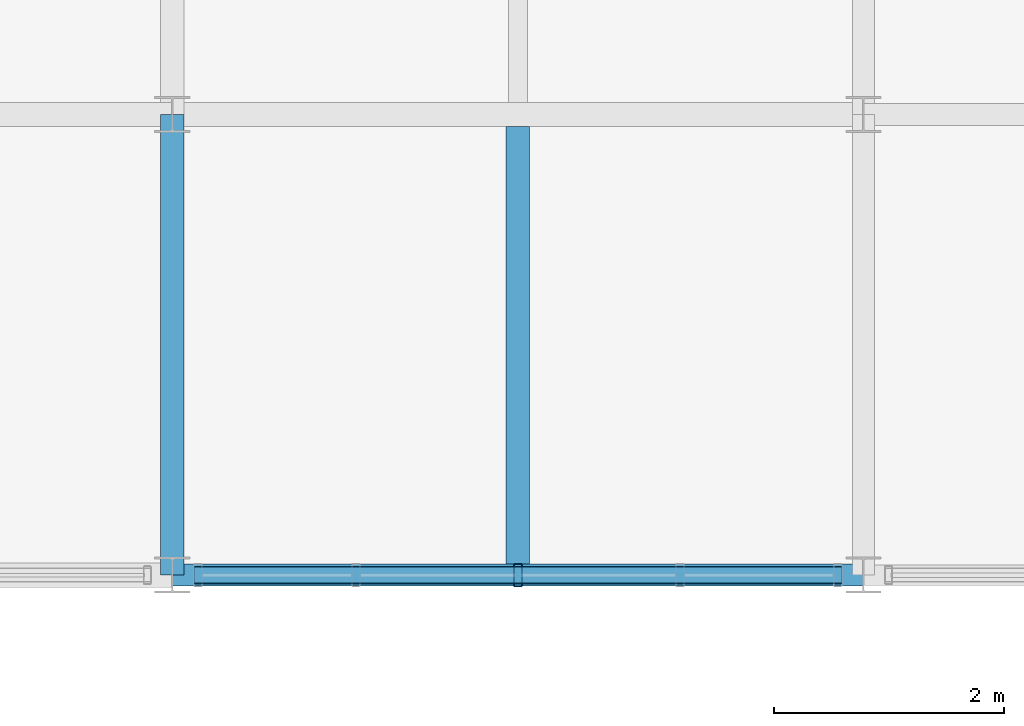
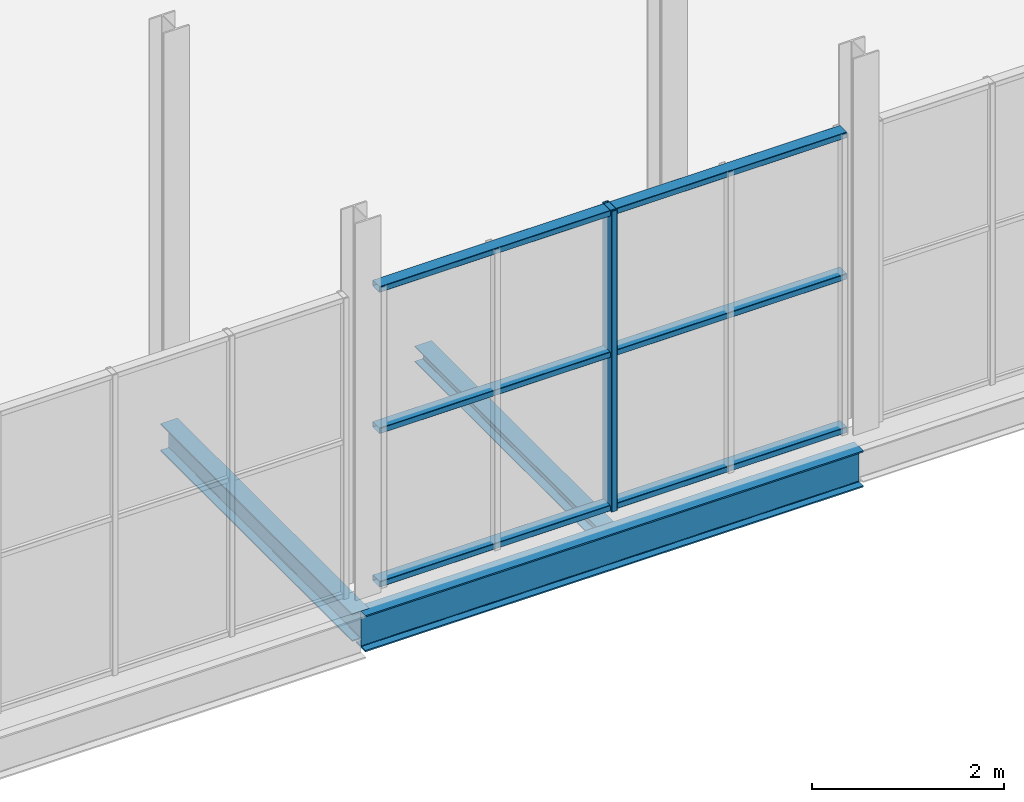
# One storey, part 66 of 114: 4 members, 3 beams, 1 element without a shape of its own.
"""IFC4 building model written with IfcOpenShell, lengths in metres."""

from ifc_helpers import new_model, si_unit, direction, frame, origin, origin_2d, place, context, subcontext, project, spatial, hollow_rectangle, i_section, extrude, material, material_profile, profile_set, type_object, element, aggregate, save


model = new_model("IFC4")

# Units and contexts
model_context = context("Model", 3, precision=1e-05, world=origin(), true_north=direction((0.0, 1.0)))
body_context = subcontext(model_context, "Body", "Model", "MODEL_VIEW")
ifc_project = project(units=[si_unit("LENGTHUNIT", "METRE"), si_unit("AREAUNIT", "SQUARE_METRE"), si_unit("VOLUMEUNIT", "CUBIC_METRE"), si_unit("PLANEANGLEUNIT", "RADIAN"), si_unit("MASSUNIT", "GRAM", prefix="KILO")], contexts=[model_context])

# Site, building, storey
site_placement = place(None, origin())
site = spatial("IfcSite", under=ifc_project, at=site_placement, CompositionType="ELEMENT")
building_placement = place(site_placement, origin())
building = spatial("IfcBuilding", under=site, at=building_placement, Name="Verrall Gate Interchange", CompositionType="ELEMENT")
storey_placement = place(building_placement, frame((0.0, 0.0, 6.60009765625)))
storey = spatial("IfcBuildingStorey", under=building, at=storey_placement, Name="L02", CompositionType="ELEMENT", Elevation=6.60009765625)

# Beams
ifc_material_1 = material(Name="Structural Steel CSA G40.21 350W", Category="steel")
ifc_material_profile_1 = material_profile(ifc_material_1, i_section(OverallWidth=0.19189453125, OverallDepth=0.462890625, WebThickness=0.010498046875, FlangeThickness=0.017578125, FilletRadius=0.012939453125, at=origin_2d()), Name="W460x89")
ifc_profile_set_1 = profile_set([ifc_material_profile_1], Name="Structural Steel CSA G40.21 350W")
beam_type_1 = type_object("IfcBeamType", Name="B-11 Structural Beam W460x89", PredefinedType="BEAM", material=ifc_profile_set_1)
beam_1_placement = place(storey_placement, frame((156.0, 12.0, -0.51171875), z_axis=(1.0, 0.0, 0.0), x_axis=(0.0, 1.0, 0.0)))
element("IfcBeam", 1, at=beam_1_placement, inside=storey, type_object=beam_type_1, Name="L02 Girder BM-L02-1485 (B-11)", PredefinedType="BEAM", context=body_context, shape_type="SweptSolid", body=[
    extrude(i_section(OverallWidth=0.19189453125, OverallDepth=0.462890625, WebThickness=0.010498046875, FlangeThickness=0.017578125, FilletRadius=0.012939453125, at=origin_2d()), origin(), (0.0, 0.0, 1.0), 6.0),
])
ifc_material_2 = material(Name="Structural Steel CSA G40.21 350W", Category="steel")
ifc_material_profile_2 = material_profile(ifc_material_2, i_section(OverallWidth=0.205078125, OverallDepth=0.35400390625, WebThickness=0.009521484375, FlangeThickness=0.016845703125, FilletRadius=0.012939453125, at=origin_2d()), Name="W360x79")
ifc_profile_set_2 = profile_set([ifc_material_profile_2], Name="Structural Steel CSA G40.21 350W")
beam_type_2 = type_object("IfcBeamType", Name="B-14 Structural Beam W360x79", PredefinedType="BEAM", material=ifc_profile_set_2)
beam_2_placement = place(storey_placement, frame((156.0, 12.0, -0.45703125), z_axis=(0.0, 1.0, 0.0), x_axis=(-1.0, 0.0, 0.0)))
element("IfcBeam", 2, at=beam_2_placement, inside=storey, type_object=beam_type_2, Name="L02 Girder BM-L02-1815 (B-14)", PredefinedType="BEAM", context=body_context, shape_type="SweptSolid", body=[
    extrude(i_section(OverallWidth=0.205078125, OverallDepth=0.35400390625, WebThickness=0.009521484375, FlangeThickness=0.016845703125, FilletRadius=0.012939453125, at=origin_2d()), origin(), (0.0, 0.0, 1.0), 4.0),
])

# Curtain wall, members
ifc_material_3 = material(Name="Thermally Broken Anodized Aluminium Curtain Wall Framing", Category="aluminium")
curtain_wall_type = type_object("IfcCurtainWallType", Name="CW-18 Unitized Curtain Wall 5631x3760", PredefinedType="NOTDEFINED", material=ifc_material_3)
curtain_wall_placement = place(storey_placement, origin())
curtain_wall = element("IfcCurtainWall", 3, at=curtain_wall_placement, inside=storey, type_object=curtain_wall_type, Name="L02 Unitized Curtain Wall CW-L02-089", PredefinedType="NOTDEFINED")
ifc_material_4 = material(Name="Thermally Broken Anodized Aluminium Curtain Wall Framing", Category="aluminium")
ifc_material_profile_3 = material_profile(ifc_material_4, hollow_rectangle(XDim=0.074951171875, YDim=0.199951171875, WallThickness=0.0048828125, InnerFilletRadius=0.0048828125, OuterFilletRadius=0.010009765625, at=origin_2d()), Name="CWM200x75x5")
ifc_profile_set_3 = profile_set([ifc_material_profile_3], Name="Thermally Broken Anodized Aluminium Curtain Wall Framing")
member_type_1 = type_object("IfcMemberType", Name="CM-02 Curtain Mullion CWM200x75x5", PredefinedType="MULLION", material=ifc_profile_set_3)
member_1_placement = place(storey_placement, frame((159.0, 12.0, 0.0), z_axis=(0.0, 0.0, 1.0), x_axis=(1.0, 0.0, 0.0)))
member_1 = element("IfcMember", 4, at=member_1_placement, type_object=member_type_1, Name="CW-L02-089 Mullion 3", PredefinedType="MULLION", context=body_context, shape_type="SweptSolid", body=[
    extrude(hollow_rectangle(XDim=0.074951171875, YDim=0.199951171875, WallThickness=0.0048828125, InnerFilletRadius=0.0048828125, OuterFilletRadius=0.010009765625, at=origin_2d()), origin(), (0.0, 0.0, 1.0), 3.829833984375),
])
ifc_material_5 = material(Name="Thermally Broken Anodized Aluminium Curtain Wall Framing", Category="aluminium")
ifc_material_profile_4 = material_profile(ifc_material_5, hollow_rectangle(XDim=0.14990234375, YDim=0.074951171875, WallThickness=0.00439453125, InnerFilletRadius=0.00439453125, OuterFilletRadius=0.009033203125, at=origin_2d()), Name="CWT150x75x4.5")
ifc_profile_set_4 = profile_set([ifc_material_profile_4], Name="Thermally Broken Anodized Aluminium Curtain Wall Framing")
member_type_2 = type_object("IfcMemberType", Name="CT-02 Curtain Transom CWT150x75x4.5", PredefinedType="USERDEFINED", material=ifc_profile_set_4)
member_2_placement = place(storey_placement, frame((156.185546875, 12.0, 0.037353515625), z_axis=(1.0, 0.0, 0.0), x_axis=(0.0, 1.0, 0.0)))
member_2 = element("IfcMember", 5, at=member_2_placement, type_object=member_type_2, Name="CW-L02-089 Transom 1", ObjectType="TRANSOM", PredefinedType="USERDEFINED", context=body_context, shape_type="SweptSolid", body=[
    extrude(hollow_rectangle(XDim=0.14990234375, YDim=0.074951171875, WallThickness=0.00439453125, InnerFilletRadius=0.00439453125, OuterFilletRadius=0.009033203125, at=origin_2d()), origin(), (0.0, 0.0, 1.0), 5.62890625),
])
member_3_placement = place(storey_placement, frame((156.185546875, 12.0, 1.991455078125), z_axis=(1.0, 0.0, 0.0), x_axis=(0.0, 1.0, 0.0)))
member_3 = element("IfcMember", 6, at=member_3_placement, type_object=member_type_2, Name="CW-L02-089 Transom 2", ObjectType="TRANSOM", PredefinedType="USERDEFINED", context=body_context, shape_type="SweptSolid", body=[
    extrude(hollow_rectangle(XDim=0.14990234375, YDim=0.074951171875, WallThickness=0.00439453125, InnerFilletRadius=0.00439453125, OuterFilletRadius=0.009033203125, at=origin_2d()), origin(), (0.0, 0.0, 1.0), 5.62890625),
])
member_4_placement = place(storey_placement, frame((156.185546875, 12.0, 3.79248046875), z_axis=(1.0, 0.0, 0.0), x_axis=(0.0, 1.0, 0.0)))
member_4 = element("IfcMember", 7, at=member_4_placement, type_object=member_type_2, Name="CW-L02-089 Transom 3", ObjectType="TRANSOM", PredefinedType="USERDEFINED", context=body_context, shape_type="SweptSolid", body=[
    extrude(hollow_rectangle(XDim=0.14990234375, YDim=0.074951171875, WallThickness=0.00439453125, InnerFilletRadius=0.00439453125, OuterFilletRadius=0.009033203125, at=origin_2d()), origin(), (0.0, 0.0, 1.0), 5.62890625),
])
aggregate(curtain_wall, [member_1, member_2, member_3, member_4])

# Beam
ifc_material_6 = material(Name="Structural Steel CSA G40.21 350W", Category="steel")
ifc_material_profile_5 = material_profile(ifc_material_6, i_section(OverallWidth=0.202880859375, OverallDepth=0.202880859375, WebThickness=0.007080078125, FlangeThickness=0.010986328125, FilletRadius=0.010009765625, at=origin_2d()), Name="W200x46")
ifc_profile_set_5 = profile_set([ifc_material_profile_5], Name="Structural Steel CSA G40.21 350W")
beam_type_3 = type_object("IfcBeamType", Name="J-07 Floor Joist W200x46", PredefinedType="JOIST", material=ifc_profile_set_5)
beam_3_placement = place(storey_placement, frame((159.0, 12.095947265625, -0.381591796875), z_axis=(0.0, 1.0, 0.0), x_axis=(-1.0, 0.0, 0.0)))
element("IfcBeam", 8, at=beam_3_placement, inside=storey, type_object=beam_type_3, Name="L02 Secondary Floor Joist JST-L02-1882", PredefinedType="JOIST", context=body_context, shape_type="SweptSolid", body=[
    extrude(i_section(OverallWidth=0.202880859375, OverallDepth=0.202880859375, WebThickness=0.007080078125, FlangeThickness=0.010986328125, FilletRadius=0.010009765625, at=origin_2d()), origin(), (0.0, 0.0, 1.0), 3.798583984375),
])

save(model, "model.ifc")
